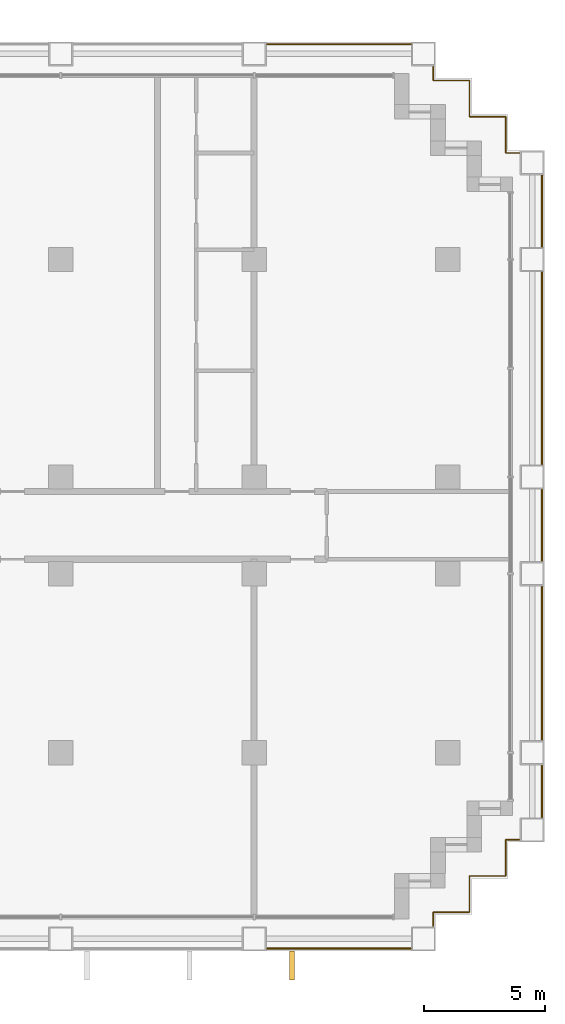
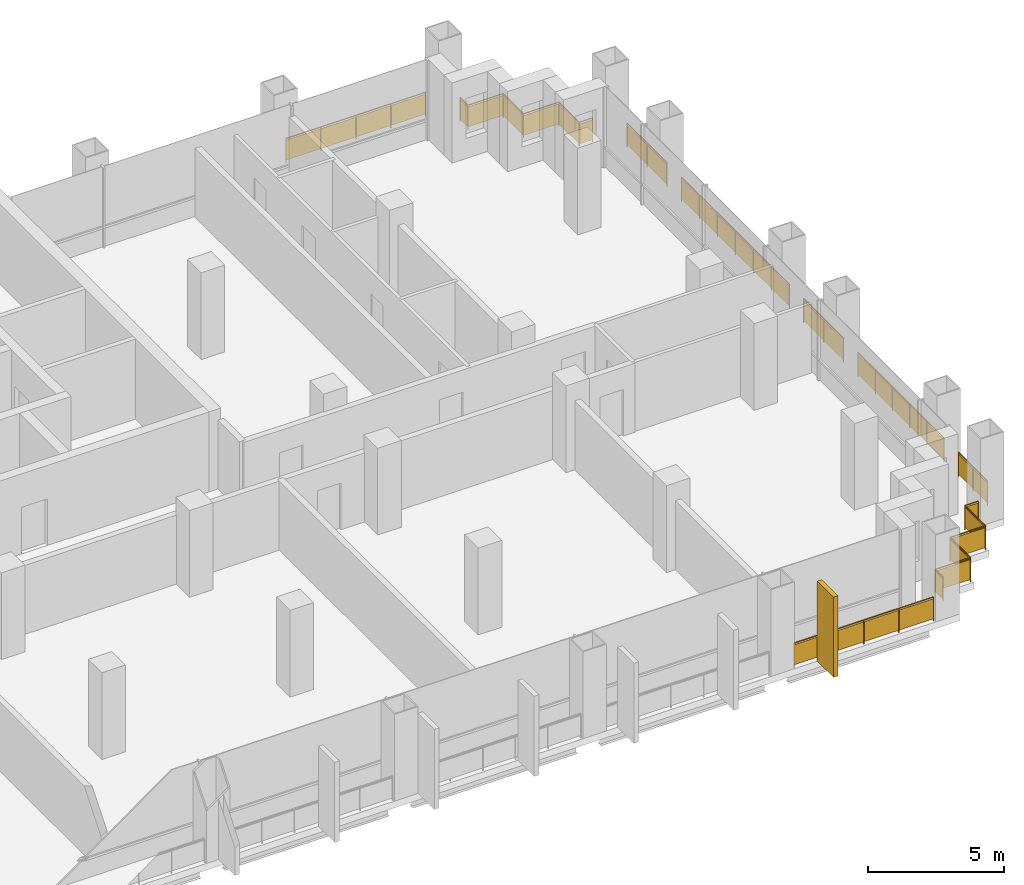
# One storey, part 13 of 13: 9 railings, 1 shading device.
"""IFC4 building model written with IfcOpenShell, lengths in metres."""

from ifc_helpers import new_model, si_unit, direction, frame, frame_2d, origin, origin_2d, place, context, subcontext, project, spatial, rectangle, circle, extrude, material, layer, layer_set, type_object, element, save


model = new_model("IFC4")

# Units and contexts
model_context = context("Model", 3, precision=1e-05, world=origin(), true_north=direction((0.0, 1.0)))
body_context = subcontext(model_context, "Body", "Model", "MODEL_VIEW")
ifc_project = project(units=[si_unit("LENGTHUNIT", "METRE"), si_unit("AREAUNIT", "SQUARE_METRE"), si_unit("VOLUMEUNIT", "CUBIC_METRE"), si_unit("PLANEANGLEUNIT", "RADIAN"), si_unit("MASSUNIT", "GRAM", prefix="KILO")], contexts=[model_context])

# Site, building, storey
site_placement = place(None, origin())
site = spatial("IfcSite", under=ifc_project, at=site_placement, CompositionType="ELEMENT")
building_placement = place(site_placement, origin())
building = spatial("IfcBuilding", under=site, at=building_placement, Name="Vidyagriha Tower", CompositionType="ELEMENT")
storey_placement = place(building_placement, frame((0.0, 0.0, 33.800048828125)))
storey = spatial("IfcBuildingStorey", under=building, at=storey_placement, Name="L08", CompositionType="ELEMENT", Elevation=33.800048828125)

# Shading device
ifc_material_1 = material(Name="Precast concrete C40/50 with brick facing", Category="concrete")
ifc_layer = layer(ifc_material_1, 0.199951171875)
ifc_layer_set = layer_set([ifc_layer], Name="Precast concrete C40/50 with brick facing")
shading_device_type = type_object("IfcShadingDeviceType", Name="Brick-faced solar fin 1200", PredefinedType="USERDEFINED", material=ifc_layer_set)
shading_device_placement = place(storey_placement, frame((27.56005859375, -17.60009765625, 0.0), z_axis=(0.0, 0.0, 1.0), x_axis=(0.0, -1.0, 0.0)))
element("IfcShadingDevice", 1, at=shading_device_placement, inside=storey, type_object=shading_device_type, Name="Solar fin L08 R23.14", ObjectType="SOLAR FIN", PredefinedType="USERDEFINED", context=body_context, shape_type="SweptSolid", body=[
    extrude(rectangle(XDim=1.199951171875, YDim=0.199951171875, at=frame_2d((0.60009765625, 0.0))), origin(), (0.0, 0.0, 1.0), 3.599853515625),
])

# Railings
ifc_material_2 = material(Name="Steel ASTM A500 Grade C black painted", Category="steel")
railing_type = type_object("IfcRailingType", Name="Gallery guard 1100", PredefinedType="GUARDRAIL", material=ifc_material_2)
railing_1_placement = place(storey_placement, frame((32.469970703125, -17.5, 0.0)))
element("IfcRailing", 2, at=railing_1_placement, inside=storey, type_object=railing_type, Name="Gallery guard L08 21", PredefinedType="GUARDRAIL", context=body_context, shape_type="SweptSolid", body=[
    extrude(circle(Radius=0.02490234375, at=origin_2d()), frame((0.0, 0.0, 1.0751953125), z_axis=(-1.0, 0.0, 0.0), x_axis=(0.0, -1.0, 0.0)), (0.0, 0.0, 1.0), 5.93994140625),
    extrude(circle(Radius=0.02001953125, at=origin_2d()), origin(), (0.0, 0.0, 1.0), 1.050048828125),
    extrude(circle(Radius=0.02001953125, at=origin_2d()), frame((-1.48486328125, 0.0, 0.0)), (0.0, 0.0, 1.0), 1.050048828125),
    extrude(circle(Radius=0.02001953125, at=origin_2d()), frame((-2.969970703125, 0.0, 0.0)), (0.0, 0.0, 1.0), 1.050048828125),
    extrude(circle(Radius=0.02001953125, at=origin_2d()), frame((-4.455078125, 0.0, 0.0)), (0.0, 0.0, 1.0), 1.050048828125),
    extrude(circle(Radius=0.02001953125, at=origin_2d()), frame((-5.93994140625, 0.0, 0.0)), (0.0, 0.0, 1.0), 1.050048828125),
    extrude(rectangle(XDim=0.010009765625, YDim=0.900146484375, at=origin_2d()), frame((0.0, 0.0, 0.550048828125), z_axis=(-1.0, 0.0, 0.0), x_axis=(0.0, -1.0, 0.0)), (0.0, 0.0, 1.0), 5.93994140625),
])
railing_2_placement = place(storey_placement, frame((26.530029296875, 19.89990234375, 0.0)))
element("IfcRailing", 3, at=railing_2_placement, inside=storey, type_object=railing_type, Name="Gallery guard L08 22", PredefinedType="GUARDRAIL", context=body_context, shape_type="SweptSolid", body=[
    extrude(circle(Radius=0.02490234375, at=origin_2d()), frame((0.0, 0.0, 1.0751953125), z_axis=(1.0, 0.0, 0.0), x_axis=(0.0, 1.0, 0.0)), (0.0, 0.0, 1.0), 5.93994140625),
    extrude(circle(Radius=0.02001953125, at=origin_2d()), origin(), (0.0, 0.0, 1.0), 1.050048828125),
    extrude(circle(Radius=0.02001953125, at=origin_2d()), frame((1.48486328125, 0.0, 0.0)), (0.0, 0.0, 1.0), 1.050048828125),
    extrude(circle(Radius=0.02001953125, at=origin_2d()), frame((2.969970703125, 0.0, 0.0)), (0.0, 0.0, 1.0), 1.050048828125),
    extrude(circle(Radius=0.02001953125, at=origin_2d()), frame((4.455078125, 0.0, 0.0)), (0.0, 0.0, 1.0), 1.050048828125),
    extrude(circle(Radius=0.02001953125, at=origin_2d()), frame((5.93994140625, 0.0, 0.0)), (0.0, 0.0, 1.0), 1.050048828125),
    extrude(rectangle(XDim=0.010009765625, YDim=0.900146484375, at=origin_2d()), frame((0.0, 0.0, 0.550048828125), z_axis=(1.0, 0.0, 0.0), x_axis=(0.0, 1.0, 0.0)), (0.0, 0.0, 1.0), 5.93994140625),
])
railing_3_placement = place(storey_placement, frame((36.969970703125, -13.0, 0.0)))
element("IfcRailing", 4, at=railing_3_placement, inside=storey, type_object=railing_type, Name="Gallery guard L08 23", PredefinedType="GUARDRAIL", context=body_context, shape_type="SweptSolid", body=[
    extrude(circle(Radius=0.02490234375, at=origin_2d()), frame((0.0, 0.0, 1.0751953125), z_axis=(-1.0, 0.0, 0.0), x_axis=(0.0, -1.0, 0.0)), (0.0, 0.0, 1.0), 0.570068359375),
    extrude(circle(Radius=0.02490234375, at=origin_2d()), frame((-0.570068359375, 0.0, 1.0751953125), z_axis=(0.0, -1.0, 0.0), x_axis=(1.0, 0.0, 0.0)), (0.0, 0.0, 1.0), 1.5),
    extrude(circle(Radius=0.02490234375, at=origin_2d()), frame((-0.570068359375, -1.5, 1.0751953125), z_axis=(-1.0, 0.0, 0.0), x_axis=(0.0, -1.0, 0.0)), (0.0, 0.0, 1.0), 1.5),
    extrude(circle(Radius=0.02490234375, at=origin_2d()), frame((-2.070068359375, -1.5, 1.0751953125), z_axis=(0.0, -1.0, 0.0), x_axis=(1.0, 0.0, 0.0)), (0.0, 0.0, 1.0), 1.5),
    extrude(circle(Radius=0.02490234375, at=origin_2d()), frame((-2.070068359375, -3.0, 1.0751953125), z_axis=(-1.0, 0.0, 0.0), x_axis=(0.0, -1.0, 0.0)), (0.0, 0.0, 1.0), 1.5),
    extrude(circle(Radius=0.02490234375, at=origin_2d()), frame((-3.570068359375, -3.0, 1.0751953125), z_axis=(0.0, -1.0, 0.0), x_axis=(1.0, 0.0, 0.0)), (0.0, 0.0, 1.0), 0.570068359375),
    extrude(circle(Radius=0.02001953125, at=origin_2d()), origin(), (0.0, 0.0, 1.0), 1.050048828125),
    extrude(circle(Radius=0.02001953125, at=origin_2d()), frame((-0.570068359375, 0.0, 0.0)), (0.0, 0.0, 1.0), 1.050048828125),
    extrude(circle(Radius=0.02001953125, at=origin_2d()), frame((-0.570068359375, -1.5, 0.0)), (0.0, 0.0, 1.0), 1.050048828125),
    extrude(circle(Radius=0.02001953125, at=origin_2d()), frame((-2.070068359375, -1.5, 0.0)), (0.0, 0.0, 1.0), 1.050048828125),
    extrude(circle(Radius=0.02001953125, at=origin_2d()), frame((-2.070068359375, -3.0, 0.0)), (0.0, 0.0, 1.0), 1.050048828125),
    extrude(circle(Radius=0.02001953125, at=origin_2d()), frame((-3.570068359375, -3.0, 0.0)), (0.0, 0.0, 1.0), 1.050048828125),
    extrude(circle(Radius=0.02001953125, at=origin_2d()), frame((-3.570068359375, -3.570068359375, 0.0)), (0.0, 0.0, 1.0), 1.050048828125),
    extrude(rectangle(XDim=0.010009765625, YDim=0.900146484375, at=origin_2d()), frame((0.0, 0.0, 0.550048828125), z_axis=(-1.0, 0.0, 0.0), x_axis=(0.0, -1.0, 0.0)), (0.0, 0.0, 1.0), 0.570068359375),
    extrude(rectangle(XDim=0.010009765625, YDim=0.900146484375, at=origin_2d()), frame((-0.570068359375, 0.0, 0.550048828125), z_axis=(0.0, -1.0, 0.0), x_axis=(1.0, 0.0, 0.0)), (0.0, 0.0, 1.0), 1.5),
    extrude(rectangle(XDim=0.010009765625, YDim=0.900146484375, at=origin_2d()), frame((-0.570068359375, -1.5, 0.550048828125), z_axis=(-1.0, 0.0, 0.0), x_axis=(0.0, -1.0, 0.0)), (0.0, 0.0, 1.0), 1.5),
    extrude(rectangle(XDim=0.010009765625, YDim=0.900146484375, at=origin_2d()), frame((-2.070068359375, -1.5, 0.550048828125), z_axis=(0.0, -1.0, 0.0), x_axis=(1.0, 0.0, 0.0)), (0.0, 0.0, 1.0), 1.5),
    extrude(rectangle(XDim=0.010009765625, YDim=0.900146484375, at=origin_2d()), frame((-2.070068359375, -3.0, 0.550048828125), z_axis=(-1.0, 0.0, 0.0), x_axis=(0.0, -1.0, 0.0)), (0.0, 0.0, 1.0), 1.5),
    extrude(rectangle(XDim=0.010009765625, YDim=0.900146484375, at=origin_2d()), frame((-3.570068359375, -3.0, 0.550048828125), z_axis=(0.0, -1.0, 0.0), x_axis=(1.0, 0.0, 0.0)), (0.0, 0.0, 1.0), 0.570068359375),
])
railing_4_placement = place(storey_placement, frame((33.39990234375, 18.969970703125, 0.0)))
element("IfcRailing", 5, at=railing_4_placement, inside=storey, type_object=railing_type, Name="Gallery guard L08 24", PredefinedType="GUARDRAIL", context=body_context, shape_type="SweptSolid", body=[
    extrude(circle(Radius=0.02490234375, at=origin_2d()), frame((0.0, 0.0, 1.0751953125), z_axis=(0.0, -1.0, 0.0), x_axis=(1.0, 0.0, 0.0)), (0.0, 0.0, 1.0), 0.570068359375),
    extrude(circle(Radius=0.02490234375, at=origin_2d()), frame((0.0, -0.570068359375, 1.0751953125), z_axis=(1.0, 0.0, 0.0), x_axis=(0.0, 1.0, 0.0)), (0.0, 0.0, 1.0), 1.5),
    extrude(circle(Radius=0.02490234375, at=origin_2d()), frame((1.5, -0.570068359375, 1.0751953125), z_axis=(0.0, -1.0, 0.0), x_axis=(1.0, 0.0, 0.0)), (0.0, 0.0, 1.0), 1.5),
    extrude(circle(Radius=0.02490234375, at=origin_2d()), frame((1.5, -2.070068359375, 1.0751953125), z_axis=(1.0, 0.0, 0.0), x_axis=(0.0, 1.0, 0.0)), (0.0, 0.0, 1.0), 1.5),
    extrude(circle(Radius=0.02490234375, at=origin_2d()), frame((3.0, -2.070068359375, 1.0751953125), z_axis=(0.0, -1.0, 0.0), x_axis=(1.0, 0.0, 0.0)), (0.0, 0.0, 1.0), 1.5),
    extrude(circle(Radius=0.02490234375, at=origin_2d()), frame((3.0, -3.570068359375, 1.0751953125), z_axis=(1.0, 0.0, 0.0), x_axis=(0.0, 1.0, 0.0)), (0.0, 0.0, 1.0), 0.570068359375),
    extrude(circle(Radius=0.02001953125, at=origin_2d()), origin(), (0.0, 0.0, 1.0), 1.050048828125),
    extrude(circle(Radius=0.02001953125, at=origin_2d()), frame((0.0, -0.570068359375, 0.0)), (0.0, 0.0, 1.0), 1.050048828125),
    extrude(circle(Radius=0.02001953125, at=origin_2d()), frame((1.5, -0.570068359375, 0.0)), (0.0, 0.0, 1.0), 1.050048828125),
    extrude(circle(Radius=0.02001953125, at=origin_2d()), frame((1.5, -2.070068359375, 0.0)), (0.0, 0.0, 1.0), 1.050048828125),
    extrude(circle(Radius=0.02001953125, at=origin_2d()), frame((3.0, -2.070068359375, 0.0)), (0.0, 0.0, 1.0), 1.050048828125),
    extrude(circle(Radius=0.02001953125, at=origin_2d()), frame((3.0, -3.570068359375, 0.0)), (0.0, 0.0, 1.0), 1.050048828125),
    extrude(circle(Radius=0.02001953125, at=origin_2d()), frame((3.570068359375, -3.570068359375, 0.0)), (0.0, 0.0, 1.0), 1.050048828125),
    extrude(rectangle(XDim=0.010009765625, YDim=0.900146484375, at=origin_2d()), frame((0.0, 0.0, 0.550048828125), z_axis=(0.0, -1.0, 0.0), x_axis=(1.0, 0.0, 0.0)), (0.0, 0.0, 1.0), 0.570068359375),
    extrude(rectangle(XDim=0.010009765625, YDim=0.900146484375, at=origin_2d()), frame((0.0, -0.570068359375, 0.550048828125), z_axis=(1.0, 0.0, 0.0), x_axis=(0.0, 1.0, 0.0)), (0.0, 0.0, 1.0), 1.5),
    extrude(rectangle(XDim=0.010009765625, YDim=0.900146484375, at=origin_2d()), frame((1.5, -0.570068359375, 0.550048828125), z_axis=(0.0, -1.0, 0.0), x_axis=(1.0, 0.0, 0.0)), (0.0, 0.0, 1.0), 1.5),
    extrude(rectangle(XDim=0.010009765625, YDim=0.900146484375, at=origin_2d()), frame((1.5, -2.070068359375, 0.550048828125), z_axis=(1.0, 0.0, 0.0), x_axis=(0.0, 1.0, 0.0)), (0.0, 0.0, 1.0), 1.5),
    extrude(rectangle(XDim=0.010009765625, YDim=0.900146484375, at=origin_2d()), frame((3.0, -2.070068359375, 0.550048828125), z_axis=(0.0, -1.0, 0.0), x_axis=(1.0, 0.0, 0.0)), (0.0, 0.0, 1.0), 1.5),
    extrude(rectangle(XDim=0.010009765625, YDim=0.900146484375, at=origin_2d()), frame((3.0, -3.570068359375, 0.550048828125), z_axis=(1.0, 0.0, 0.0), x_axis=(0.0, 1.0, 0.0)), (0.0, 0.0, 1.0), 0.570068359375),
])
railing_5_placement = place(storey_placement, frame((37.89990234375, -9.929931640625, 0.0)))
element("IfcRailing", 6, at=railing_5_placement, inside=storey, type_object=railing_type, Name="Gallery guard L08 25", PredefinedType="GUARDRAIL", context=body_context, shape_type="SweptSolid", body=[
    extrude(circle(Radius=0.02490234375, at=origin_2d()), frame((0.0, 0.0, 1.0751953125), z_axis=(0.0, -1.0, 0.0), x_axis=(1.0, 0.0, 0.0)), (0.0, 0.0, 1.0), 2.14013671875),
    extrude(circle(Radius=0.02001953125, at=origin_2d()), origin(), (0.0, 0.0, 1.0), 1.050048828125),
    extrude(circle(Radius=0.02001953125, at=origin_2d()), frame((0.0, -1.070068359375, 0.0)), (0.0, 0.0, 1.0), 1.050048828125),
    extrude(circle(Radius=0.02001953125, at=origin_2d()), frame((0.0, -2.14013671875, 0.0)), (0.0, 0.0, 1.0), 1.050048828125),
    extrude(rectangle(XDim=0.010009765625, YDim=0.900146484375, at=origin_2d()), frame((0.0, 0.0, 0.550048828125), z_axis=(0.0, -1.0, 0.0), x_axis=(1.0, 0.0, 0.0)), (0.0, 0.0, 1.0), 2.14013671875),
])
railing_6_placement = place(storey_placement, frame((37.89990234375, -2.530029296875, 0.0)))
element("IfcRailing", 7, at=railing_6_placement, inside=storey, type_object=railing_type, Name="Gallery guard L08 26", PredefinedType="GUARDRAIL", context=body_context, shape_type="SweptSolid", body=[
    extrude(circle(Radius=0.02490234375, at=origin_2d()), frame((0.0, 0.0, 1.0751953125), z_axis=(0.0, -1.0, 0.0), x_axis=(1.0, 0.0, 0.0)), (0.0, 0.0, 1.0), 6.340087890625),
    extrude(circle(Radius=0.02001953125, at=origin_2d()), origin(), (0.0, 0.0, 1.0), 1.050048828125),
    extrude(circle(Radius=0.02001953125, at=origin_2d()), frame((0.0, -1.26806640625, 0.0)), (0.0, 0.0, 1.0), 1.050048828125),
    extrude(circle(Radius=0.02001953125, at=origin_2d()), frame((0.0, -2.5361328125, 0.0)), (0.0, 0.0, 1.0), 1.050048828125),
    extrude(circle(Radius=0.02001953125, at=origin_2d()), frame((0.0, -3.803955078125, 0.0)), (0.0, 0.0, 1.0), 1.050048828125),
    extrude(circle(Radius=0.02001953125, at=origin_2d()), frame((0.0, -5.072021484375, 0.0)), (0.0, 0.0, 1.0), 1.050048828125),
    extrude(circle(Radius=0.02001953125, at=origin_2d()), frame((0.0, -6.340087890625, 0.0)), (0.0, 0.0, 1.0), 1.050048828125),
    extrude(rectangle(XDim=0.010009765625, YDim=0.900146484375, at=origin_2d()), frame((0.0, 0.0, 0.550048828125), z_axis=(0.0, -1.0, 0.0), x_axis=(1.0, 0.0, 0.0)), (0.0, 0.0, 1.0), 6.340087890625),
])
railing_7_placement = place(storey_placement, frame((37.89990234375, 1.469970703125, 0.0)))
element("IfcRailing", 8, at=railing_7_placement, inside=storey, type_object=railing_type, Name="Gallery guard L08 27", PredefinedType="GUARDRAIL", context=body_context, shape_type="SweptSolid", body=[
    extrude(circle(Radius=0.02490234375, at=origin_2d()), frame((0.0, 0.0, 1.0751953125), z_axis=(0.0, -1.0, 0.0), x_axis=(1.0, 0.0, 0.0)), (0.0, 0.0, 1.0), 2.93994140625),
    extrude(circle(Radius=0.02001953125, at=origin_2d()), origin(), (0.0, 0.0, 1.0), 1.050048828125),
    extrude(circle(Radius=0.02001953125, at=origin_2d()), frame((0.0, -1.469970703125, 0.0)), (0.0, 0.0, 1.0), 1.050048828125),
    extrude(circle(Radius=0.02001953125, at=origin_2d()), frame((0.0, -2.93994140625, 0.0)), (0.0, 0.0, 1.0), 1.050048828125),
    extrude(rectangle(XDim=0.010009765625, YDim=0.900146484375, at=origin_2d()), frame((0.0, 0.0, 0.550048828125), z_axis=(0.0, -1.0, 0.0), x_axis=(1.0, 0.0, 0.0)), (0.0, 0.0, 1.0), 2.93994140625),
])
railing_8_placement = place(storey_placement, frame((37.89990234375, 10.469970703125, 0.0)))
element("IfcRailing", 9, at=railing_8_placement, inside=storey, type_object=railing_type, Name="Gallery guard L08 28", PredefinedType="GUARDRAIL", context=body_context, shape_type="SweptSolid", body=[
    extrude(circle(Radius=0.02490234375, at=origin_2d()), frame((0.0, 0.0, 1.0751953125), z_axis=(0.0, -1.0, 0.0), x_axis=(1.0, 0.0, 0.0)), (0.0, 0.0, 1.0), 7.93994140625),
    extrude(circle(Radius=0.02001953125, at=origin_2d()), origin(), (0.0, 0.0, 1.0), 1.050048828125),
    extrude(circle(Radius=0.02001953125, at=origin_2d()), frame((0.0, -1.3232421875, 0.0)), (0.0, 0.0, 1.0), 1.050048828125),
    extrude(circle(Radius=0.02001953125, at=origin_2d()), frame((0.0, -2.646728515625, 0.0)), (0.0, 0.0, 1.0), 1.050048828125),
    extrude(circle(Radius=0.02001953125, at=origin_2d()), frame((0.0, -3.969970703125, 0.0)), (0.0, 0.0, 1.0), 1.050048828125),
    extrude(circle(Radius=0.02001953125, at=origin_2d()), frame((0.0, -5.293212890625, 0.0)), (0.0, 0.0, 1.0), 1.050048828125),
    extrude(circle(Radius=0.02001953125, at=origin_2d()), frame((0.0, -6.61669921875, 0.0)), (0.0, 0.0, 1.0), 1.050048828125),
    extrude(circle(Radius=0.02001953125, at=origin_2d()), frame((0.0, -7.93994140625, 0.0)), (0.0, 0.0, 1.0), 1.050048828125),
    extrude(rectangle(XDim=0.010009765625, YDim=0.900146484375, at=origin_2d()), frame((0.0, 0.0, 0.550048828125), z_axis=(0.0, -1.0, 0.0), x_axis=(1.0, 0.0, 0.0)), (0.0, 0.0, 1.0), 7.93994140625),
])
railing_9_placement = place(storey_placement, frame((37.89990234375, 14.469970703125, 0.0)))
element("IfcRailing", 10, at=railing_9_placement, inside=storey, type_object=railing_type, Name="Gallery guard L08 29", PredefinedType="GUARDRAIL", context=body_context, shape_type="SweptSolid", body=[
    extrude(circle(Radius=0.02490234375, at=origin_2d()), frame((0.0, 0.0, 1.0751953125), z_axis=(0.0, -1.0, 0.0), x_axis=(1.0, 0.0, 0.0)), (0.0, 0.0, 1.0), 2.93994140625),
    extrude(circle(Radius=0.02001953125, at=origin_2d()), origin(), (0.0, 0.0, 1.0), 1.050048828125),
    extrude(circle(Radius=0.02001953125, at=origin_2d()), frame((0.0, -1.469970703125, 0.0)), (0.0, 0.0, 1.0), 1.050048828125),
    extrude(circle(Radius=0.02001953125, at=origin_2d()), frame((0.0, -2.93994140625, 0.0)), (0.0, 0.0, 1.0), 1.050048828125),
    extrude(rectangle(XDim=0.010009765625, YDim=0.900146484375, at=origin_2d()), frame((0.0, 0.0, 0.550048828125), z_axis=(0.0, -1.0, 0.0), x_axis=(1.0, 0.0, 0.0)), (0.0, 0.0, 1.0), 2.93994140625),
])

save(model, "model.ifc")
